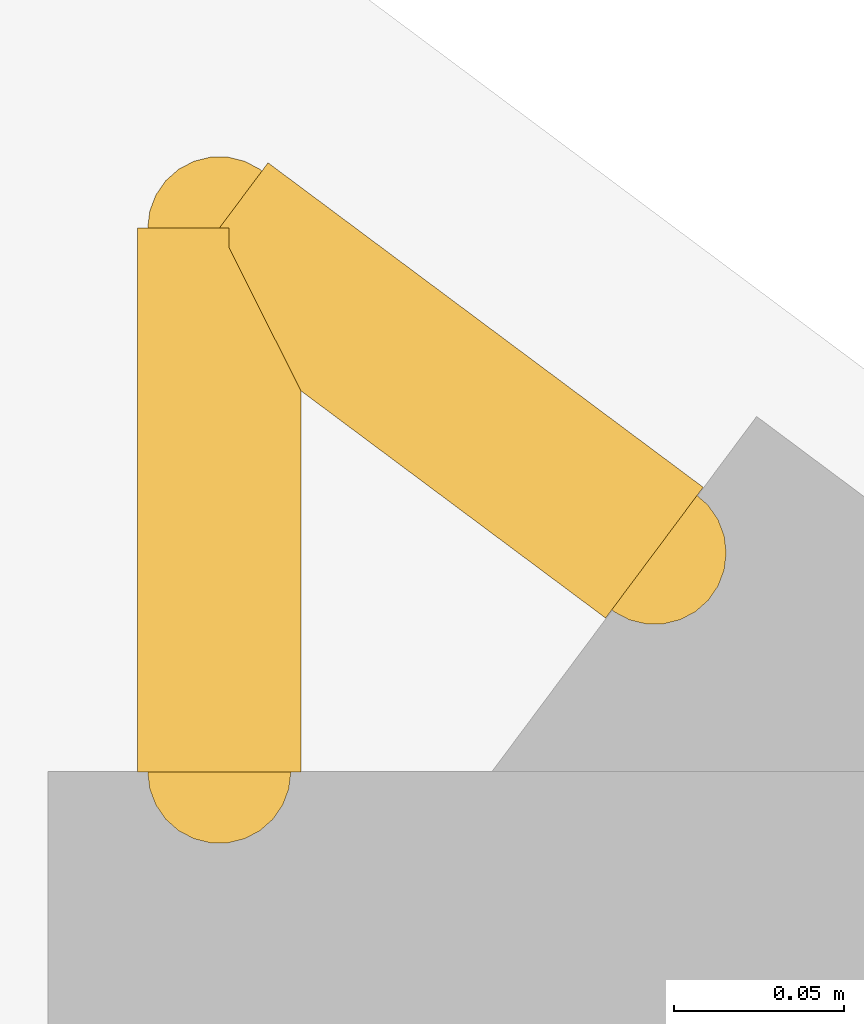
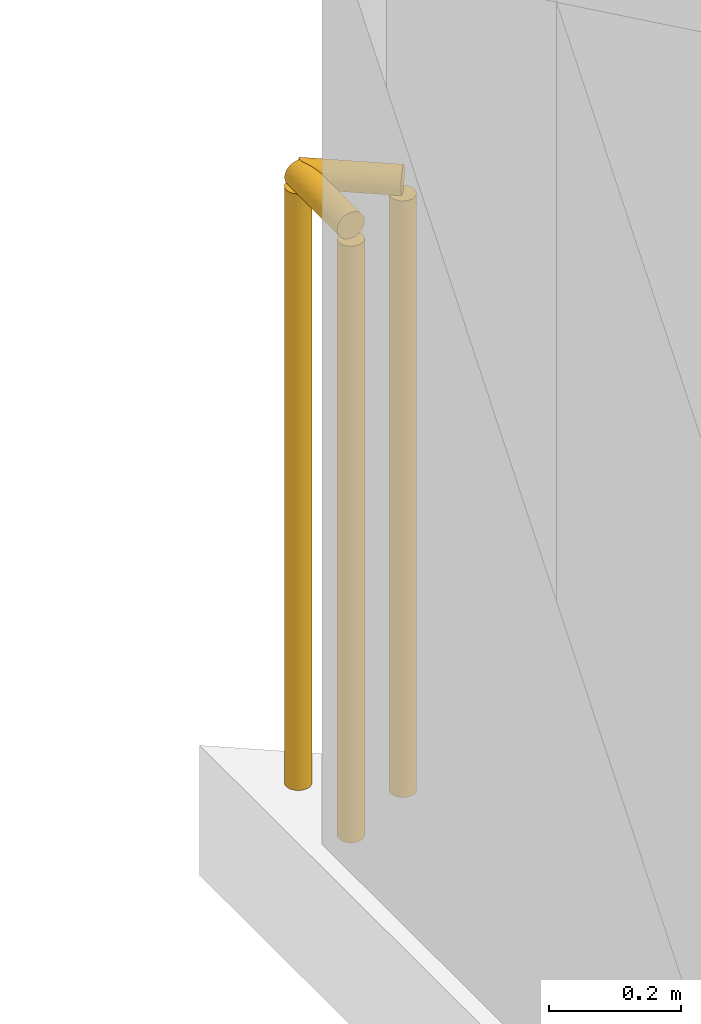
# One storey, part 19 of 19: 2 railings.
"""IFC4 building model written with IfcOpenShell, lengths in metres."""

import ifcopenshell
import ifcopenshell.guid

model = None  # the IFC model being written
_history = None  # IfcOwnerHistory: only IFC2X3 demands one
_inside = {}  # id of a spatial element -> (the spatial element, [elements in it])
_under = {}  # id of a project, library or spatial element -> (it, [spatial elements below it])
_declared = {}  # id of a project -> (the project, [libraries it declares])
_typed = {}  # id of a type object -> (the type object, [elements of that type])
_made_of = {}  # id of a material, layer set ... -> (it, [elements and type objects made of it])


def new_model(schema):
    """Start an empty IFC model of exactly this schema.

    Asked for "IFC4X3", IfcOpenShell would pick the latest addendum, in which some entities
    have other attributes; the version numbers below select the first issue.
    IFC2X3 requires an IfcOwnerHistory on every rooted entity: one is made here for all.
    """
    global model, _history
    if schema == "IFC4X3":
        model = ifcopenshell.file(schema_version=(4, 3, 0, 0))
    else:
        model = ifcopenshell.file(schema=schema)
    _inside.clear()
    _under.clear()
    _declared.clear()
    _typed.clear()
    _made_of.clear()
    _history = None
    if model.schema == "IFC2X3":
        org = make("IfcOrganization", Name="unknown")
        user = make(
            "IfcPersonAndOrganization",
            ThePerson=make("IfcPerson", FamilyName="unknown"),
            TheOrganization=org,
        )
        app = make(
            "IfcApplication",
            ApplicationDeveloper=org,
            Version="unknown",
            ApplicationFullName="unknown",
            ApplicationIdentifier="unknown",
        )
        _history = make(
            "IfcOwnerHistory",
            OwningUser=user,
            OwningApplication=app,
            ChangeAction="ADDED",
            CreationDate=0,
        )
    return model


def make(cls, **values):
    """One entity of the class cls with the attributes given. An attribute that is None is left unset."""
    return model.create_entity(
        cls, **{name: value for name, value in values.items() if value is not None}
    )


def rooted(cls, **values):
    """An entity with a GlobalId (a new one), such as an element, a storey or a relation."""
    return make(cls, GlobalId=ifcopenshell.guid.new(), OwnerHistory=_history, **values)


def si_unit(unit_type, name, prefix=None):
    """IfcSIUnit, for example si_unit("LENGTHUNIT", "METRE", prefix="MILLI")."""
    return make("IfcSIUnit", UnitType=unit_type, Prefix=prefix, Name=name)


def assignment(units):
    """IfcUnitAssignment: the units of a project."""
    return None if units is None else make("IfcUnitAssignment", Units=units)


def point(xyz):
    """IfcCartesianPoint."""
    return None if xyz is None else make("IfcCartesianPoint", Coordinates=xyz)


def direction(xyz):
    """IfcDirection."""
    return None if xyz is None else make("IfcDirection", DirectionRatios=xyz)


def frame(location, z_axis=None, x_axis=None):
    """IfcAxis2Placement3D, a coordinate frame: its origin and axes. An axis left out is left unset."""
    return make(
        "IfcAxis2Placement3D",
        Location=point(location),
        Axis=direction(z_axis),
        RefDirection=direction(x_axis),
    )


def frame_2d(location, x_axis=None):
    """IfcAxis2Placement2D, a coordinate frame in the plane: its origin and x axis."""
    return make(
        "IfcAxis2Placement2D", Location=point(location), RefDirection=direction(x_axis)
    )


def origin():
    """The frame at (0, 0, 0) with its axes left unset."""
    return frame((0.0, 0.0, 0.0))


def origin_2d():
    """The frame at (0, 0) in the plane with its x axis left unset."""
    return frame_2d((0.0, 0.0))


def place(relative_to, where):
    """IfcLocalPlacement: puts the frame where relative to a parent placement (None: the world)."""
    return make(
        "IfcLocalPlacement", PlacementRelTo=relative_to, RelativePlacement=where
    )


def context(
    kind, dimensions, precision=None, world=None, true_north=None, identifier=None
):
    """IfcGeometricRepresentationContext, for example the 3D "Model" context."""
    return make(
        "IfcGeometricRepresentationContext",
        ContextIdentifier=identifier,
        ContextType=kind,
        CoordinateSpaceDimension=dimensions,
        Precision=precision,
        WorldCoordinateSystem=world,
        TrueNorth=true_north,
    )


def subcontext(parent, identifier, kind, view, scale=None):
    """IfcGeometricRepresentationSubContext, for example "Body" below "Model"."""
    return make(
        "IfcGeometricRepresentationSubContext",
        ContextIdentifier=identifier,
        ContextType=kind,
        ParentContext=parent,
        TargetScale=scale,
        TargetView=view,
    )


def project(units=None, contexts=None):
    """IfcProject with its units and contexts."""
    return rooted(
        "IfcProject",
        Name="project",
        RepresentationContexts=contexts,
        UnitsInContext=assignment(units),
    )


def spatial(cls, under=None, at=None, **own):
    """A site, building, storey or space (cls), placed at a placement, below another one or the project."""
    s = rooted(cls, ObjectPlacement=at, **own)
    if under is not None:
        _under.setdefault(under.id(), (under, []))[1].append(s)
    return s


def profile(cls, at=None, kind="AREA", **sizes):
    """A parametric profile (cls). Its sizes go by their IFC names, for example OverallWidth=200.0."""
    return make(cls, ProfileType=kind, Position=at, **sizes)


def circle(**sizes):
    """IfcCircleProfileDef."""
    return profile("IfcCircleProfileDef", **sizes)


def extrude(swept, where, along, depth):
    """IfcExtrudedAreaSolid: the profile swept, set in the frame where, extruded along a direction by depth."""
    return make(
        "IfcExtrudedAreaSolid",
        SweptArea=swept,
        Position=where,
        ExtrudedDirection=direction(along),
        Depth=depth,
    )


def shape(context_of_items, identifier, shape_type, items):
    """IfcShapeRepresentation: the items that make up one representation, for example the "Body"."""
    return make(
        "IfcShapeRepresentation",
        ContextOfItems=context_of_items,
        RepresentationIdentifier=identifier,
        RepresentationType=shape_type,
        Items=items,
    )


def material(Name=None, Category=None):
    """IfcMaterial."""
    return make("IfcMaterial", Name=Name, Category=Category)


def made_of(thing, what):
    """Note that an element or type object is made of a material, layer set ...; save() writes the relation."""
    if what is not None:
        _made_of.setdefault(what.id(), (what, []))[1].append(thing)
    return thing


def type_object(cls, material=None, **own):
    """A type object (cls), such as IfcWallType, which elements share."""
    return made_of(rooted(cls, **own), material)


def element(
    cls,
    number,
    at=None,
    inside=None,
    cuts=None,
    type_object=None,
    material=None,
    context=None,
    identifier="Body",
    shape_type=None,
    held_by="IfcProductDefinitionShape",
    body=None,
    shapes=None,
    **own,
):
    """One element of the class cls, such as IfcWall. Its Tag is "e" and its number.

    at: its placement. inside: the storey or other place that contains it. cuts: it is an
    opening in that element (IfcRelVoidsElement). A single representation is given by context,
    identifier, shape_type and body (its items); several are given by shapes. held_by: the class
    of the entity that holds the representations. save() writes the other relations.
    """
    e = rooted(cls, Tag="e%d" % number, ObjectPlacement=at, **own)
    if body is not None:
        shapes = [shape(context, identifier, shape_type, body)]
    if shapes is not None:
        e.Representation = make(held_by, Representations=shapes)
    if inside is not None:
        _inside.setdefault(inside.id(), (inside, []))[1].append(e)
    if cuts is not None:
        rooted(
            "IfcRelVoidsElement", RelatingBuildingElement=cuts, RelatedOpeningElement=e
        )
    if type_object is not None:
        _typed.setdefault(type_object.id(), (type_object, []))[1].append(e)
    return made_of(e, material)


def aggregate(whole, parts):
    """IfcRelAggregates: a whole, such as a stair, and the parts it consists of."""
    return rooted("IfcRelAggregates", RelatingObject=whole, RelatedObjects=parts)


def save(model, path):
    """Write the relations noted so far, then the file.

    IfcRelAggregates (storeys below a building ...), IfcRelContainedInSpatialStructure (elements
    in a storey), IfcRelDefinesByType, IfcRelAssociatesMaterial and IfcRelDeclares: one each for
    every whole, place, type object, material and project.
    """
    for whole, parts in _under.values():
        aggregate(whole, parts)
    for where, things in _inside.values():
        rooted(
            "IfcRelContainedInSpatialStructure",
            RelatedElements=things,
            RelatingStructure=where,
        )
    for kind, things in _typed.values():
        rooted("IfcRelDefinesByType", RelatedObjects=things, RelatingType=kind)
    for what, things in _made_of.values():
        rooted("IfcRelAssociatesMaterial", RelatedObjects=things, RelatingMaterial=what)
    for by, libraries in _declared.values():
        rooted("IfcRelDeclares", RelatingContext=by, RelatedDefinitions=libraries)
    model.write(path)


model = new_model("IFC4")

# Units and contexts
model_context = context("Model", 3, precision=1e-05, world=origin(), true_north=direction((0.0, 1.0)))
body_context = subcontext(model_context, "Body", "Model", "MODEL_VIEW")
ifc_project = project(units=[si_unit("LENGTHUNIT", "METRE"), si_unit("AREAUNIT", "SQUARE_METRE"), si_unit("VOLUMEUNIT", "CUBIC_METRE"), si_unit("PLANEANGLEUNIT", "RADIAN"), si_unit("MASSUNIT", "GRAM", prefix="KILO")], contexts=[model_context])

# Site, building, storey
site_placement = place(None, origin())
site = spatial("IfcSite", under=ifc_project, at=site_placement, CompositionType="ELEMENT")
building_placement = place(site_placement, origin())
building = spatial("IfcBuilding", under=site, at=building_placement, Name="Varnakote Quay Hospital", CompositionType="ELEMENT")
storey_placement = place(building_placement, frame((0.0, 0.0, 240.75)))
storey = spatial("IfcBuildingStorey", under=building, at=storey_placement, Name="L59", CompositionType="ELEMENT", Elevation=240.75)

# Railings
ifc_material = material(Name="Anodised aluminium 6063-T6 Bronze", Category="aluminium")
railing_type = type_object("IfcRailingType", Name="RLG-EXT-GUARD-1150", PredefinedType="GUARDRAIL", material=ifc_material)
railing_1_placement = place(storey_placement, frame((2.580078125, 41.881103515625, 0.0)))
element("IfcRailing", 1, at=railing_1_placement, inside=storey, type_object=railing_type, Name="L59 Slab Edge Perimeter Safety Guard", PredefinedType="GUARDRAIL", context=body_context, shape_type="SweptSolid", body=[
    extrude(circle(Radius=0.02392578125, at=origin_2d()), frame((0.0, 0.0, 1.1259765625), z_axis=(0.0, 1.0, 0.0), x_axis=(-1.0, 0.0, 0.0)), (0.0, 0.0, 1.0), 0.159423828125),
    extrude(circle(Radius=0.02099609375, at=origin_2d()), origin(), (0.0, 0.0, 1.0), 1.101806640625),
    extrude(circle(Radius=0.02099609375, at=origin_2d()), frame((0.0, 0.159423828125, 0.0)), (0.0, 0.0, 1.0), 1.101806640625),
])
railing_2_placement = place(storey_placement, frame((2.580078125, 42.04052734375, 0.0)))
element("IfcRailing", 2, at=railing_2_placement, inside=storey, type_object=railing_type, Name="L59 Slab Edge Perimeter Safety Guard", PredefinedType="GUARDRAIL", context=body_context, shape_type="SweptSolid", body=[
    extrude(circle(Radius=0.02392578125, at=origin_2d()), frame((0.0, 0.0, 1.1259765625), z_axis=(0.801652374907, -0.597790489892, 0.0), x_axis=(0.597790489892, 0.801652374907, 0.0)), (0.0, 0.0, 1.0), 0.1591796875),
    extrude(circle(Radius=0.02099609375, at=origin_2d()), origin(), (0.0, 0.0, 1.0), 1.101806640625),
    extrude(circle(Radius=0.02099609375, at=origin_2d()), frame((0.127685546875, -0.09521484375, 0.0)), (0.0, 0.0, 1.0), 1.101806640625),
])

save(model, "model.ifc")
